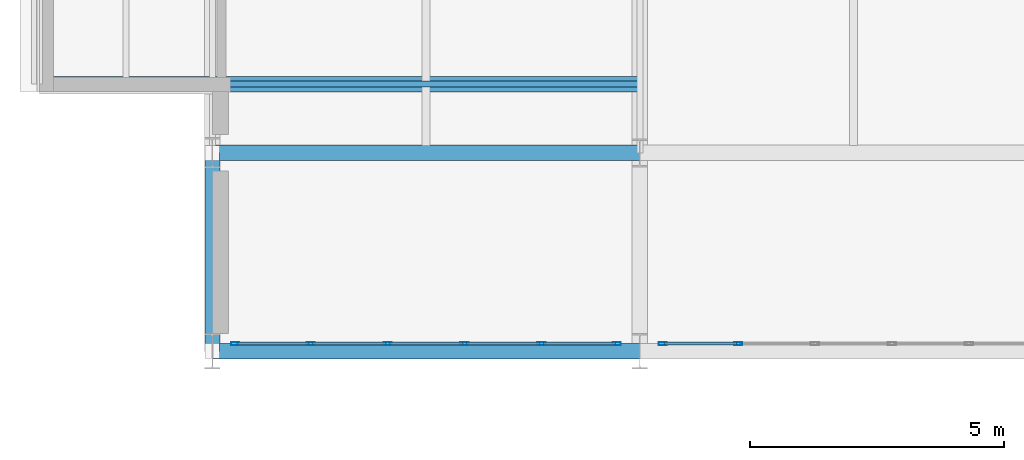
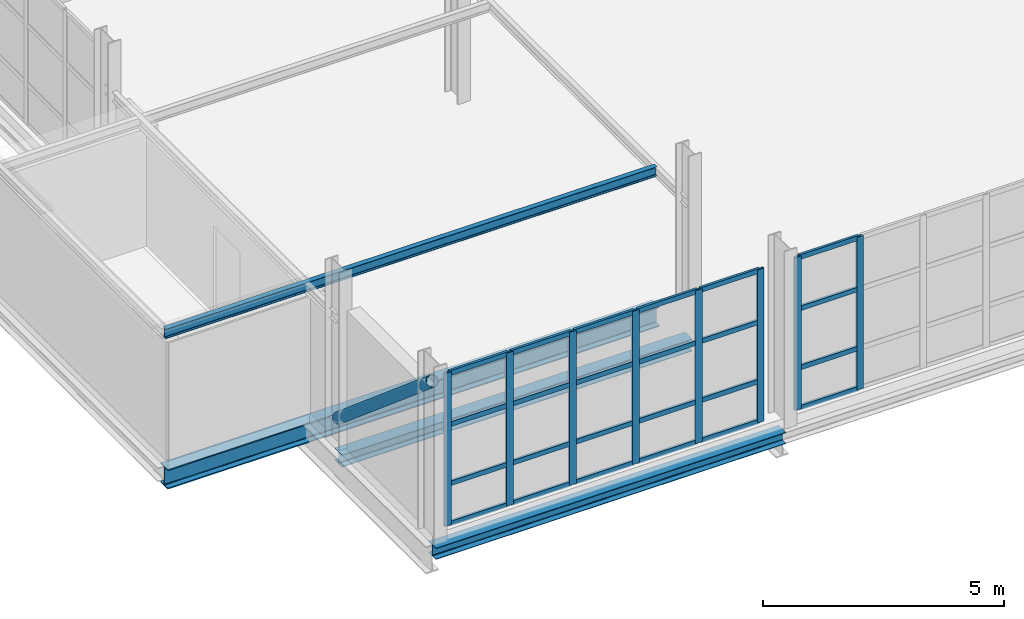
# One storey, part 11 of 109: 33 members, 4 beams, 2 elements without a shape of their own.
"""IFC4 building model written with IfcOpenShell, lengths in metres."""

from ifc_helpers import new_model, si_unit, direction, frame, origin, origin_2d, place, context, subcontext, project, spatial, hollow_rectangle, hollow_circle, i_section, extrude, material, material_profile, profile_set, type_object, element, aggregate, save


model = new_model("IFC4")

# Units and contexts
model_context = context("Model", 3, precision=1e-05, world=origin(), true_north=direction((0.0, 1.0)))
body_context = subcontext(model_context, "Body", "Model", "MODEL_VIEW")
ifc_project = project(units=[si_unit("LENGTHUNIT", "METRE"), si_unit("AREAUNIT", "SQUARE_METRE"), si_unit("VOLUMEUNIT", "CUBIC_METRE"), si_unit("PLANEANGLEUNIT", "RADIAN"), si_unit("MASSUNIT", "GRAM", prefix="KILO")], contexts=[model_context])

# Site, building, storey
site_placement = place(None, origin())
site = spatial("IfcSite", under=ifc_project, at=site_placement, CompositionType="ELEMENT")
building_placement = place(site_placement, origin())
building = spatial("IfcBuilding", under=site, at=building_placement, Name="Veltarok Museum of Natural Sciences", CompositionType="ELEMENT")
storey_placement = place(building_placement, frame((0.0, 0.0, 17.39990234375)))
storey = spatial("IfcBuildingStorey", under=building, at=storey_placement, Name="L03", CompositionType="ELEMENT", Elevation=17.39990234375)

# Beams
ifc_material_1 = material(Name="Steel S355J2", Category="steel")
ifc_material_profile_1 = material_profile(ifc_material_1, i_section(OverallWidth=0.300048828125, OverallDepth=0.5, WebThickness=0.014404296875, FlangeThickness=0.028076171875, FilletRadius=0.027099609375, at=origin_2d()), Name="HEB 500")
ifc_profile_set_1 = profile_set([ifc_material_profile_1], Name="Steel S355J2")
beam_type_1 = type_object("IfcBeamType", Name="Cabinet Box Cantilever Girder HEB 500", PredefinedType="BEAM", material=ifc_profile_set_1)
beam_1_placement = place(storey_placement, frame((3.0, 10.949951171875, -0.5), z_axis=(1.0, 0.0, 0.0), x_axis=(0.0, 1.0, 0.0)))
element("IfcBeam", 1, at=beam_1_placement, inside=storey, type_object=beam_type_1, Name="Cabinet Cantilever Girder DB-33-1", PredefinedType="BEAM", context=body_context, shape_type="SweptSolid", body=[
    extrude(i_section(OverallWidth=0.300048828125, OverallDepth=0.5, WebThickness=0.014404296875, FlangeThickness=0.028076171875, FilletRadius=0.027099609375, at=origin_2d()), origin(), (0.0, 0.0, 1.0), 11.800048828125),
])
ifc_material_profile_2 = material_profile(ifc_material_1, i_section(OverallWidth=0.1201171875, OverallDepth=0.239990234375, WebThickness=0.006103515625, FlangeThickness=0.009765625, FilletRadius=0.014892578125, at=origin_2d()), Name="IPE 240")
ifc_profile_set_2 = profile_set([ifc_material_profile_2], Name="Steel S355J2")
beam_type_2 = type_object("IfcBeamType", Name="Cabinet Box Secondary Joist IPE 240", PredefinedType="JOIST", material=ifc_profile_set_2)
beam_2_placement = place(storey_placement, frame((3.0, 10.949951171875, 3.130126953125), z_axis=(1.0, 0.0, 0.0), x_axis=(0.0, 1.0, 0.0)))
element("IfcBeam", 2, at=beam_2_placement, inside=storey, type_object=beam_type_2, Name="Cabinet Roof Rafter DB-33-1", PredefinedType="JOIST", context=body_context, shape_type="SweptSolid", body=[
    extrude(i_section(OverallWidth=0.1201171875, OverallDepth=0.239990234375, WebThickness=0.006103515625, FlangeThickness=0.009765625, FilletRadius=0.014892578125, at=origin_2d()), origin(), (0.0, 0.0, 1.0), 11.800048828125),
])

# Curtain wall, members
ifc_material_2 = material(Name="Low-iron triple insulated glass", Category="glass")
curtain_wall_type_1 = type_object("IfcCurtainWallType", Name="Curtain Wall System CW-BRG-S-L03-1-756x388 (Bridge South Cantilever L03 1-2 756x388cm)", PredefinedType="NOTDEFINED", material=ifc_material_2)
curtain_wall_1_placement = place(storey_placement, origin())
curtain_wall_1 = element("IfcCurtainWall", 3, at=curtain_wall_1_placement, inside=storey, type_object=curtain_wall_type_1, Name="Curtain Wall CW-BRG-S-L03-1-756x388 CW-0037", PredefinedType="NOTDEFINED")
ifc_material_3 = material(Name="Thermally broken anodised aluminium", Category="aluminium")
ifc_material_profile_3 = material_profile(ifc_material_3, hollow_rectangle(XDim=0.06005859375, YDim=0.1201171875, WallThickness=0.0048828125, at=origin_2d()), Name="CW TRANSOM 60x120x5")
ifc_profile_set_3 = profile_set([ifc_material_profile_3], Name="Thermally broken anodised aluminium")
member_type_1 = type_object("IfcMemberType", Name="Curtain Wall Horizontal Transom 60x120x5", PredefinedType="USERDEFINED", material=ifc_profile_set_3)
member_1_placement = place(storey_placement, frame((6.8798828125, 5.85009765625, 0.030029296875), z_axis=(1.0, 0.0, 0.0), x_axis=(0.0, 1.0, 0.0)))
member_1 = element("IfcMember", 4, at=member_1_placement, type_object=member_type_1, Name="CW-BRG-S-L03-1-756x388 transom 1.1", ObjectType="TRANSOM", PredefinedType="USERDEFINED", context=body_context, shape_type="SweptSolid", body=[
    extrude(hollow_rectangle(XDim=0.06005859375, YDim=0.1201171875, WallThickness=0.0048828125, at=origin_2d()), origin(), (0.0, 0.0, 1.0), 1.422119140625),
])
member_2_placement = place(storey_placement, frame((6.8798828125, 5.85009765625, 1.050048828125), z_axis=(1.0, 0.0, 0.0), x_axis=(0.0, 1.0, 0.0)))
member_2 = element("IfcMember", 5, at=member_2_placement, type_object=member_type_1, Name="CW-BRG-S-L03-1-756x388 transom 1.2", ObjectType="TRANSOM", PredefinedType="USERDEFINED", context=body_context, shape_type="SweptSolid", body=[
    extrude(hollow_rectangle(XDim=0.06005859375, YDim=0.1201171875, WallThickness=0.0048828125, at=origin_2d()), origin(), (0.0, 0.0, 1.0), 1.422119140625),
])
member_3_placement = place(storey_placement, frame((6.8798828125, 5.85009765625, 2.550048828125), z_axis=(1.0, 0.0, 0.0), x_axis=(0.0, 1.0, 0.0)))
member_3 = element("IfcMember", 6, at=member_3_placement, type_object=member_type_1, Name="CW-BRG-S-L03-1-756x388 transom 1.3", ObjectType="TRANSOM", PredefinedType="USERDEFINED", context=body_context, shape_type="SweptSolid", body=[
    extrude(hollow_rectangle(XDim=0.06005859375, YDim=0.1201171875, WallThickness=0.0048828125, at=origin_2d()), origin(), (0.0, 0.0, 1.0), 1.422119140625),
])
member_4_placement = place(storey_placement, frame((6.8798828125, 5.85009765625, 3.85009765625), z_axis=(1.0, 0.0, 0.0), x_axis=(0.0, 1.0, 0.0)))
member_4 = element("IfcMember", 7, at=member_4_placement, type_object=member_type_1, Name="CW-BRG-S-L03-1-756x388 transom 1.4", ObjectType="TRANSOM", PredefinedType="USERDEFINED", context=body_context, shape_type="SweptSolid", body=[
    extrude(hollow_rectangle(XDim=0.06005859375, YDim=0.1201171875, WallThickness=0.0048828125, at=origin_2d()), origin(), (0.0, 0.0, 1.0), 1.422119140625),
])
member_5_placement = place(storey_placement, frame((8.362060546875, 5.85009765625, 0.030029296875), z_axis=(1.0, 0.0, 0.0), x_axis=(0.0, 1.0, 0.0)))
member_5 = element("IfcMember", 8, at=member_5_placement, type_object=member_type_1, Name="CW-BRG-S-L03-1-756x388 transom 2.1", ObjectType="TRANSOM", PredefinedType="USERDEFINED", context=body_context, shape_type="SweptSolid", body=[
    extrude(hollow_rectangle(XDim=0.06005859375, YDim=0.1201171875, WallThickness=0.0048828125, at=origin_2d()), origin(), (0.0, 0.0, 1.0), 1.451904296875),
])
member_6_placement = place(storey_placement, frame((8.362060546875, 5.85009765625, 1.050048828125), z_axis=(1.0, 0.0, 0.0), x_axis=(0.0, 1.0, 0.0)))
member_6 = element("IfcMember", 9, at=member_6_placement, type_object=member_type_1, Name="CW-BRG-S-L03-1-756x388 transom 2.2", ObjectType="TRANSOM", PredefinedType="USERDEFINED", context=body_context, shape_type="SweptSolid", body=[
    extrude(hollow_rectangle(XDim=0.06005859375, YDim=0.1201171875, WallThickness=0.0048828125, at=origin_2d()), origin(), (0.0, 0.0, 1.0), 1.451904296875),
])
member_7_placement = place(storey_placement, frame((8.362060546875, 5.85009765625, 2.550048828125), z_axis=(1.0, 0.0, 0.0), x_axis=(0.0, 1.0, 0.0)))
member_7 = element("IfcMember", 10, at=member_7_placement, type_object=member_type_1, Name="CW-BRG-S-L03-1-756x388 transom 2.3", ObjectType="TRANSOM", PredefinedType="USERDEFINED", context=body_context, shape_type="SweptSolid", body=[
    extrude(hollow_rectangle(XDim=0.06005859375, YDim=0.1201171875, WallThickness=0.0048828125, at=origin_2d()), origin(), (0.0, 0.0, 1.0), 1.451904296875),
])
member_8_placement = place(storey_placement, frame((8.362060546875, 5.85009765625, 3.85009765625), z_axis=(1.0, 0.0, 0.0), x_axis=(0.0, 1.0, 0.0)))
member_8 = element("IfcMember", 11, at=member_8_placement, type_object=member_type_1, Name="CW-BRG-S-L03-1-756x388 transom 2.4", ObjectType="TRANSOM", PredefinedType="USERDEFINED", context=body_context, shape_type="SweptSolid", body=[
    extrude(hollow_rectangle(XDim=0.06005859375, YDim=0.1201171875, WallThickness=0.0048828125, at=origin_2d()), origin(), (0.0, 0.0, 1.0), 1.451904296875),
])
member_9_placement = place(storey_placement, frame((9.8740234375, 5.85009765625, 0.030029296875), z_axis=(1.0, 0.0, 0.0), x_axis=(0.0, 1.0, 0.0)))
member_9 = element("IfcMember", 12, at=member_9_placement, type_object=member_type_1, Name="CW-BRG-S-L03-1-756x388 transom 3.1", ObjectType="TRANSOM", PredefinedType="USERDEFINED", context=body_context, shape_type="SweptSolid", body=[
    extrude(hollow_rectangle(XDim=0.06005859375, YDim=0.1201171875, WallThickness=0.0048828125, at=origin_2d()), origin(), (0.0, 0.0, 1.0), 1.451904296875),
])
member_10_placement = place(storey_placement, frame((9.8740234375, 5.85009765625, 1.050048828125), z_axis=(1.0, 0.0, 0.0), x_axis=(0.0, 1.0, 0.0)))
member_10 = element("IfcMember", 13, at=member_10_placement, type_object=member_type_1, Name="CW-BRG-S-L03-1-756x388 transom 3.2", ObjectType="TRANSOM", PredefinedType="USERDEFINED", context=body_context, shape_type="SweptSolid", body=[
    extrude(hollow_rectangle(XDim=0.06005859375, YDim=0.1201171875, WallThickness=0.0048828125, at=origin_2d()), origin(), (0.0, 0.0, 1.0), 1.451904296875),
])
member_11_placement = place(storey_placement, frame((9.8740234375, 5.85009765625, 2.550048828125), z_axis=(1.0, 0.0, 0.0), x_axis=(0.0, 1.0, 0.0)))
member_11 = element("IfcMember", 14, at=member_11_placement, type_object=member_type_1, Name="CW-BRG-S-L03-1-756x388 transom 3.3", ObjectType="TRANSOM", PredefinedType="USERDEFINED", context=body_context, shape_type="SweptSolid", body=[
    extrude(hollow_rectangle(XDim=0.06005859375, YDim=0.1201171875, WallThickness=0.0048828125, at=origin_2d()), origin(), (0.0, 0.0, 1.0), 1.451904296875),
])
member_12_placement = place(storey_placement, frame((9.8740234375, 5.85009765625, 3.85009765625), z_axis=(1.0, 0.0, 0.0), x_axis=(0.0, 1.0, 0.0)))
member_12 = element("IfcMember", 15, at=member_12_placement, type_object=member_type_1, Name="CW-BRG-S-L03-1-756x388 transom 3.4", ObjectType="TRANSOM", PredefinedType="USERDEFINED", context=body_context, shape_type="SweptSolid", body=[
    extrude(hollow_rectangle(XDim=0.06005859375, YDim=0.1201171875, WallThickness=0.0048828125, at=origin_2d()), origin(), (0.0, 0.0, 1.0), 1.451904296875),
])
member_13_placement = place(storey_placement, frame((11.385986328125, 5.85009765625, 0.030029296875), z_axis=(1.0, 0.0, 0.0), x_axis=(0.0, 1.0, 0.0)))
member_13 = element("IfcMember", 16, at=member_13_placement, type_object=member_type_1, Name="CW-BRG-S-L03-1-756x388 transom 4.1", ObjectType="TRANSOM", PredefinedType="USERDEFINED", context=body_context, shape_type="SweptSolid", body=[
    extrude(hollow_rectangle(XDim=0.06005859375, YDim=0.1201171875, WallThickness=0.0048828125, at=origin_2d()), origin(), (0.0, 0.0, 1.0), 1.451904296875),
])
member_14_placement = place(storey_placement, frame((11.385986328125, 5.85009765625, 1.050048828125), z_axis=(1.0, 0.0, 0.0), x_axis=(0.0, 1.0, 0.0)))
member_14 = element("IfcMember", 17, at=member_14_placement, type_object=member_type_1, Name="CW-BRG-S-L03-1-756x388 transom 4.2", ObjectType="TRANSOM", PredefinedType="USERDEFINED", context=body_context, shape_type="SweptSolid", body=[
    extrude(hollow_rectangle(XDim=0.06005859375, YDim=0.1201171875, WallThickness=0.0048828125, at=origin_2d()), origin(), (0.0, 0.0, 1.0), 1.451904296875),
])
member_15_placement = place(storey_placement, frame((11.385986328125, 5.85009765625, 2.550048828125), z_axis=(1.0, 0.0, 0.0), x_axis=(0.0, 1.0, 0.0)))
member_15 = element("IfcMember", 18, at=member_15_placement, type_object=member_type_1, Name="CW-BRG-S-L03-1-756x388 transom 4.3", ObjectType="TRANSOM", PredefinedType="USERDEFINED", context=body_context, shape_type="SweptSolid", body=[
    extrude(hollow_rectangle(XDim=0.06005859375, YDim=0.1201171875, WallThickness=0.0048828125, at=origin_2d()), origin(), (0.0, 0.0, 1.0), 1.451904296875),
])
member_16_placement = place(storey_placement, frame((11.385986328125, 5.85009765625, 3.85009765625), z_axis=(1.0, 0.0, 0.0), x_axis=(0.0, 1.0, 0.0)))
member_16 = element("IfcMember", 19, at=member_16_placement, type_object=member_type_1, Name="CW-BRG-S-L03-1-756x388 transom 4.4", ObjectType="TRANSOM", PredefinedType="USERDEFINED", context=body_context, shape_type="SweptSolid", body=[
    extrude(hollow_rectangle(XDim=0.06005859375, YDim=0.1201171875, WallThickness=0.0048828125, at=origin_2d()), origin(), (0.0, 0.0, 1.0), 1.451904296875),
])
member_17_placement = place(storey_placement, frame((12.89794921875, 5.85009765625, 0.030029296875), z_axis=(1.0, 0.0, 0.0), x_axis=(0.0, 1.0, 0.0)))
member_17 = element("IfcMember", 20, at=member_17_placement, type_object=member_type_1, Name="CW-BRG-S-L03-1-756x388 transom 5.1", ObjectType="TRANSOM", PredefinedType="USERDEFINED", context=body_context, shape_type="SweptSolid", body=[
    extrude(hollow_rectangle(XDim=0.06005859375, YDim=0.1201171875, WallThickness=0.0048828125, at=origin_2d()), origin(), (0.0, 0.0, 1.0), 1.422119140625),
])
member_18_placement = place(storey_placement, frame((12.89794921875, 5.85009765625, 1.050048828125), z_axis=(1.0, 0.0, 0.0), x_axis=(0.0, 1.0, 0.0)))
member_18 = element("IfcMember", 21, at=member_18_placement, type_object=member_type_1, Name="CW-BRG-S-L03-1-756x388 transom 5.2", ObjectType="TRANSOM", PredefinedType="USERDEFINED", context=body_context, shape_type="SweptSolid", body=[
    extrude(hollow_rectangle(XDim=0.06005859375, YDim=0.1201171875, WallThickness=0.0048828125, at=origin_2d()), origin(), (0.0, 0.0, 1.0), 1.422119140625),
])
member_19_placement = place(storey_placement, frame((12.89794921875, 5.85009765625, 2.550048828125), z_axis=(1.0, 0.0, 0.0), x_axis=(0.0, 1.0, 0.0)))
member_19 = element("IfcMember", 22, at=member_19_placement, type_object=member_type_1, Name="CW-BRG-S-L03-1-756x388 transom 5.3", ObjectType="TRANSOM", PredefinedType="USERDEFINED", context=body_context, shape_type="SweptSolid", body=[
    extrude(hollow_rectangle(XDim=0.06005859375, YDim=0.1201171875, WallThickness=0.0048828125, at=origin_2d()), origin(), (0.0, 0.0, 1.0), 1.422119140625),
])
member_20_placement = place(storey_placement, frame((12.89794921875, 5.85009765625, 3.85009765625), z_axis=(1.0, 0.0, 0.0), x_axis=(0.0, 1.0, 0.0)))
member_20 = element("IfcMember", 23, at=member_20_placement, type_object=member_type_1, Name="CW-BRG-S-L03-1-756x388 transom 5.4", ObjectType="TRANSOM", PredefinedType="USERDEFINED", context=body_context, shape_type="SweptSolid", body=[
    extrude(hollow_rectangle(XDim=0.06005859375, YDim=0.1201171875, WallThickness=0.0048828125, at=origin_2d()), origin(), (0.0, 0.0, 1.0), 1.422119140625),
])

curtain_wall_type_2 = type_object("IfcCurtainWallType", Name="Curtain Wall System CW-BRG-S-L03-2-756x388 (Bridge South Cantilever L03 2-3 756x388cm)", PredefinedType="NOTDEFINED", material=ifc_material_2)
curtain_wall_2_placement = place(storey_placement, origin())
curtain_wall_2 = element("IfcCurtainWall", 24, at=curtain_wall_2_placement, inside=storey, type_object=curtain_wall_type_2, Name="Curtain Wall CW-BRG-S-L03-2-756x388 CW-0038", PredefinedType="NOTDEFINED")
member_21_placement = place(storey_placement, frame((15.280029296875, 5.85009765625, 0.030029296875), z_axis=(1.0, 0.0, 0.0), x_axis=(0.0, 1.0, 0.0)))
member_21 = element("IfcMember", 25, at=member_21_placement, type_object=member_type_1, Name="CW-BRG-S-L03-2-756x388 transom 1.1", ObjectType="TRANSOM", PredefinedType="USERDEFINED", context=body_context, shape_type="SweptSolid", body=[
    extrude(hollow_rectangle(XDim=0.06005859375, YDim=0.1201171875, WallThickness=0.0048828125, at=origin_2d()), origin(), (0.0, 0.0, 1.0), 1.421875),
])
member_22_placement = place(storey_placement, frame((15.280029296875, 5.85009765625, 1.050048828125), z_axis=(1.0, 0.0, 0.0), x_axis=(0.0, 1.0, 0.0)))
member_22 = element("IfcMember", 26, at=member_22_placement, type_object=member_type_1, Name="CW-BRG-S-L03-2-756x388 transom 1.2", ObjectType="TRANSOM", PredefinedType="USERDEFINED", context=body_context, shape_type="SweptSolid", body=[
    extrude(hollow_rectangle(XDim=0.06005859375, YDim=0.1201171875, WallThickness=0.0048828125, at=origin_2d()), origin(), (0.0, 0.0, 1.0), 1.421875),
])
member_23_placement = place(storey_placement, frame((15.280029296875, 5.85009765625, 2.550048828125), z_axis=(1.0, 0.0, 0.0), x_axis=(0.0, 1.0, 0.0)))
member_23 = element("IfcMember", 27, at=member_23_placement, type_object=member_type_1, Name="CW-BRG-S-L03-2-756x388 transom 1.3", ObjectType="TRANSOM", PredefinedType="USERDEFINED", context=body_context, shape_type="SweptSolid", body=[
    extrude(hollow_rectangle(XDim=0.06005859375, YDim=0.1201171875, WallThickness=0.0048828125, at=origin_2d()), origin(), (0.0, 0.0, 1.0), 1.421875),
])
member_24_placement = place(storey_placement, frame((15.280029296875, 5.85009765625, 3.85009765625), z_axis=(1.0, 0.0, 0.0), x_axis=(0.0, 1.0, 0.0)))
member_24 = element("IfcMember", 28, at=member_24_placement, type_object=member_type_1, Name="CW-BRG-S-L03-2-756x388 transom 1.4", ObjectType="TRANSOM", PredefinedType="USERDEFINED", context=body_context, shape_type="SweptSolid", body=[
    extrude(hollow_rectangle(XDim=0.06005859375, YDim=0.1201171875, WallThickness=0.0048828125, at=origin_2d()), origin(), (0.0, 0.0, 1.0), 1.421875),
])

# Member
ifc_material_profile_4 = material_profile(ifc_material_3, hollow_rectangle(XDim=0.06005859375, YDim=0.159912109375, WallThickness=0.0048828125, at=origin_2d()), Name="CW MULLION 60x160x5")
ifc_profile_set_4 = profile_set([ifc_material_profile_4], Name="Thermally broken anodised aluminium")
member_type_2 = type_object("IfcMemberType", Name="Curtain Wall Vertical Mullion 60x160x5", PredefinedType="MULLION", material=ifc_profile_set_4)
member_25_placement = place(storey_placement, frame((6.85009765625, 5.85009765625, 0.0), z_axis=(0.0, 0.0, 1.0), x_axis=(0.0, 1.0, 0.0)))
member_25 = element("IfcMember", 29, at=member_25_placement, type_object=member_type_2, Name="CW-BRG-S-L03-1-756x388 mullion 1", PredefinedType="MULLION", context=body_context, shape_type="SweptSolid", body=[
    extrude(hollow_rectangle(XDim=0.06005859375, YDim=0.159912109375, WallThickness=0.0048828125, at=origin_2d()), origin(), (0.0, 0.0, 1.0), 3.880126953125),
])

member_26_placement = place(storey_placement, frame((8.33203125, 5.85009765625, 0.0), z_axis=(0.0, 0.0, 1.0), x_axis=(0.0, 1.0, 0.0)))
member_26 = element("IfcMember", 30, at=member_26_placement, type_object=member_type_2, Name="CW-BRG-S-L03-1-756x388 mullion 2", PredefinedType="MULLION", context=body_context, shape_type="SweptSolid", body=[
    extrude(hollow_rectangle(XDim=0.06005859375, YDim=0.159912109375, WallThickness=0.0048828125, at=origin_2d()), origin(), (0.0, 0.0, 1.0), 3.880126953125),
])

member_27_placement = place(storey_placement, frame((9.843994140625, 5.85009765625, 0.0), z_axis=(0.0, 0.0, 1.0), x_axis=(0.0, 1.0, 0.0)))
member_27 = element("IfcMember", 31, at=member_27_placement, type_object=member_type_2, Name="CW-BRG-S-L03-1-756x388 mullion 3", PredefinedType="MULLION", context=body_context, shape_type="SweptSolid", body=[
    extrude(hollow_rectangle(XDim=0.06005859375, YDim=0.159912109375, WallThickness=0.0048828125, at=origin_2d()), origin(), (0.0, 0.0, 1.0), 3.880126953125),
])

member_28_placement = place(storey_placement, frame((11.35595703125, 5.85009765625, 0.0), z_axis=(0.0, 0.0, 1.0), x_axis=(0.0, 1.0, 0.0)))
member_28 = element("IfcMember", 32, at=member_28_placement, type_object=member_type_2, Name="CW-BRG-S-L03-1-756x388 mullion 4", PredefinedType="MULLION", context=body_context, shape_type="SweptSolid", body=[
    extrude(hollow_rectangle(XDim=0.06005859375, YDim=0.159912109375, WallThickness=0.0048828125, at=origin_2d()), origin(), (0.0, 0.0, 1.0), 3.880126953125),
])

member_29_placement = place(storey_placement, frame((12.867919921875, 5.85009765625, 0.0), z_axis=(0.0, 0.0, 1.0), x_axis=(0.0, 1.0, 0.0)))
member_29 = element("IfcMember", 33, at=member_29_placement, type_object=member_type_2, Name="CW-BRG-S-L03-1-756x388 mullion 5", PredefinedType="MULLION", context=body_context, shape_type="SweptSolid", body=[
    extrude(hollow_rectangle(XDim=0.06005859375, YDim=0.159912109375, WallThickness=0.0048828125, at=origin_2d()), origin(), (0.0, 0.0, 1.0), 3.880126953125),
])

member_30_placement = place(storey_placement, frame((14.35009765625, 5.85009765625, 0.0), z_axis=(0.0, 0.0, 1.0), x_axis=(0.0, 1.0, 0.0)))
member_30 = element("IfcMember", 34, at=member_30_placement, type_object=member_type_2, Name="CW-BRG-S-L03-1-756x388 mullion 6", PredefinedType="MULLION", context=body_context, shape_type="SweptSolid", body=[
    extrude(hollow_rectangle(XDim=0.06005859375, YDim=0.159912109375, WallThickness=0.0048828125, at=origin_2d()), origin(), (0.0, 0.0, 1.0), 3.880126953125),
])

aggregate(curtain_wall_1, [member_25, member_26, member_27, member_28, member_29, member_30, member_1, member_2, member_3, member_4, member_5, member_6, member_7, member_8, member_9, member_10, member_11, member_12, member_13, member_14, member_15, member_16, member_17, member_18, member_19, member_20])

member_31_placement = place(storey_placement, frame((15.25, 5.85009765625, 0.0), z_axis=(0.0, 0.0, 1.0), x_axis=(0.0, 1.0, 0.0)))
member_31 = element("IfcMember", 35, at=member_31_placement, type_object=member_type_2, Name="CW-BRG-S-L03-2-756x388 mullion 1", PredefinedType="MULLION", context=body_context, shape_type="SweptSolid", body=[
    extrude(hollow_rectangle(XDim=0.06005859375, YDim=0.159912109375, WallThickness=0.0048828125, at=origin_2d()), origin(), (0.0, 0.0, 1.0), 3.880126953125),
])

member_32_placement = place(storey_placement, frame((16.73193359375, 5.85009765625, 0.0), z_axis=(0.0, 0.0, 1.0), x_axis=(0.0, 1.0, 0.0)))
member_32 = element("IfcMember", 36, at=member_32_placement, type_object=member_type_2, Name="CW-BRG-S-L03-2-756x388 mullion 2", PredefinedType="MULLION", context=body_context, shape_type="SweptSolid", body=[
    extrude(hollow_rectangle(XDim=0.06005859375, YDim=0.159912109375, WallThickness=0.0048828125, at=origin_2d()), origin(), (0.0, 0.0, 1.0), 3.880126953125),
])

aggregate(curtain_wall_2, [member_31, member_32, member_21, member_22, member_23, member_24])

# Beams
ifc_material_profile_5 = material_profile(ifc_material_1, i_section(OverallWidth=0.300048828125, OverallDepth=0.2900390625, WebThickness=0.008544921875, FlangeThickness=0.013916015625, FilletRadius=0.027099609375, at=origin_2d()), Name="HEA 300")
ifc_profile_set_5 = profile_set([ifc_material_profile_5], Name="Steel S355J2")
beam_type_3 = type_object("IfcBeamType", Name="Glazed Hall Edge Spandrel HEA 300", PredefinedType="SPANDREL", material=ifc_profile_set_5)
beam_3_placement = place(storey_placement, frame((6.39990234375, 5.699951171875, -0.39501953125), z_axis=(1.0, 0.0, 0.0), x_axis=(0.0, 1.0, 0.0)))
element("IfcBeam", 37, at=beam_3_placement, inside=storey, type_object=beam_type_3, Name="Bridge South Edge Spandrel L03 1-2", PredefinedType="SPANDREL", context=body_context, shape_type="SweptSolid", body=[
    extrude(i_section(OverallWidth=0.300048828125, OverallDepth=0.2900390625, WebThickness=0.008544921875, FlangeThickness=0.013916015625, FilletRadius=0.027099609375, at=origin_2d()), origin(), (0.0, 0.0, 1.0), 8.400146484375),
])
ifc_material_profile_6 = material_profile(ifc_material_1, i_section(OverallWidth=0.300048828125, OverallDepth=0.31005859375, WebThickness=0.009033203125, FlangeThickness=0.015380859375, FilletRadius=0.027099609375, at=origin_2d()), Name="HEA 320")
ifc_profile_set_6 = profile_set([ifc_material_profile_6], Name="Steel S355J2")
beam_type_4 = type_object("IfcBeamType", Name="Perimeter Edge Spandrel HEA 320", PredefinedType="SPANDREL", material=ifc_profile_set_6)
beam_4_placement = place(storey_placement, frame((6.39990234375, 9.60009765625, -0.40478515625), z_axis=(1.0, 0.0, 0.0), x_axis=(0.0, 1.0, 0.0)))
element("IfcBeam", 38, at=beam_4_placement, inside=storey, type_object=beam_type_4, Name="Beam BM-SP04 L03 1-2/B", PredefinedType="SPANDREL", context=body_context, shape_type="SweptSolid", body=[
    extrude(i_section(OverallWidth=0.300048828125, OverallDepth=0.31005859375, WebThickness=0.009033203125, FlangeThickness=0.015380859375, FilletRadius=0.027099609375, at=origin_2d()), origin(), (0.0, 0.0, 1.0), 8.400146484375),
])

# Member
ifc_material_4 = material(Name="Oxide-red painted Steel S355J2", Category="steel")
ifc_material_profile_7 = material_profile(ifc_material_4, hollow_circle(Radius=0.136474609375, WallThickness=0.012451171875, at=origin_2d()), Name="CHS 273x12.5")
ifc_profile_set_7 = profile_set([ifc_material_profile_7], Name="Oxide-red painted Steel S355J2")
member_type_3 = type_object("IfcMemberType", Name="Transfer Truss Web Diagonal CHS 273x12.5", PredefinedType="BRACE", material=ifc_profile_set_7)
member_33_placement = place(storey_placement, frame((6.39990234375, 9.60009765625, 0.60009765625), z_axis=(0.0, -0.763393535726, 0.645933672765), x_axis=(1.0, 0.0, 0.0)))
element("IfcMember", 39, at=member_33_placement, inside=storey, type_object=member_type_3, Name="Bridge Cantilever Raking Strut L04 1", PredefinedType="BRACE", context=body_context, shape_type="SweptSolid", body=[
    extrude(hollow_circle(Radius=0.136474609375, WallThickness=0.012451171875, at=origin_2d()), origin(), (0.0, 0.0, 1.0), 5.10888671875),
])

save(model, "model.ifc")
